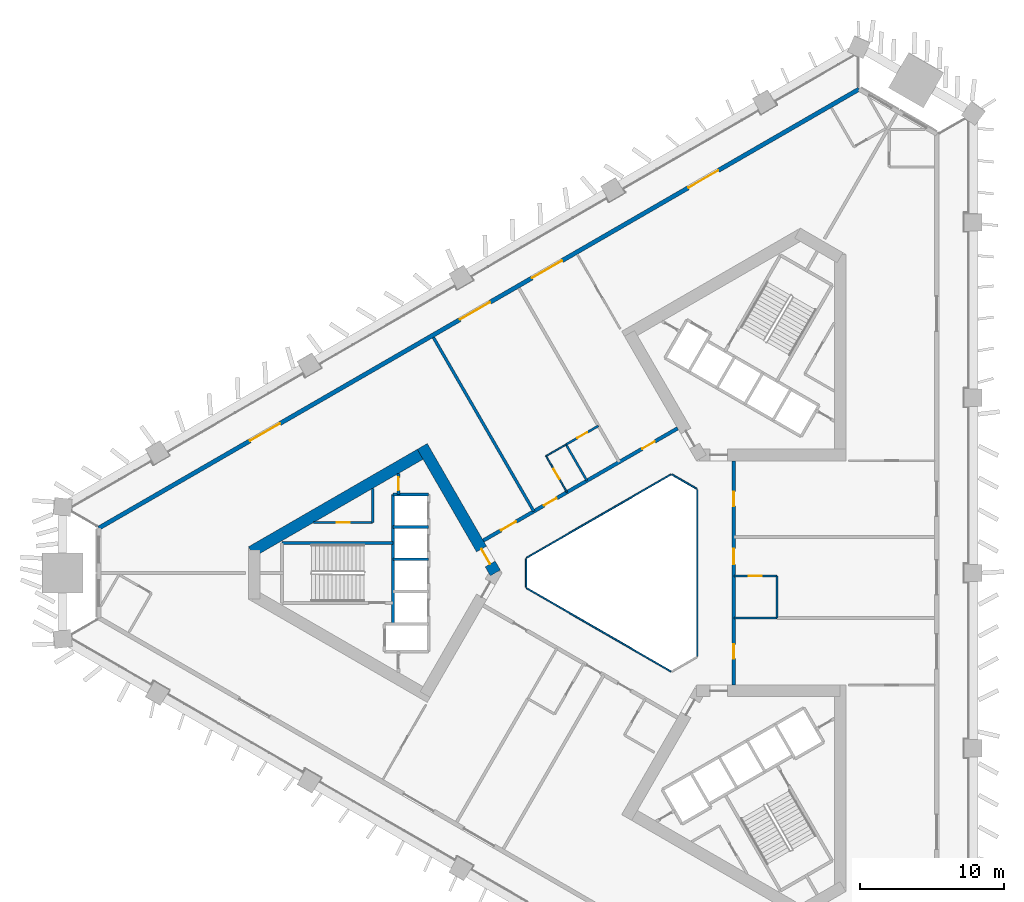
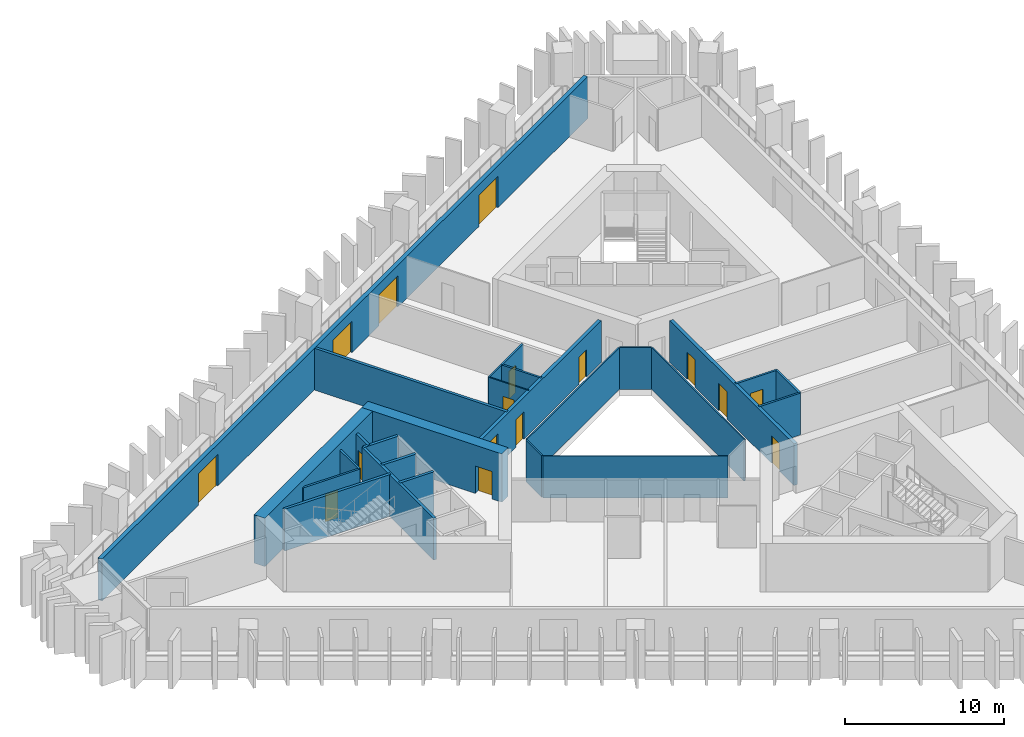
# One storey, part 4 of 10: 26 walls, 16 doors, 16 openings.
"""IFC4 building model written with IfcOpenShell, lengths in metres."""

import ifcopenshell
import ifcopenshell.guid

model = None  # the IFC model being written
_history = None  # IfcOwnerHistory: only IFC2X3 demands one
_inside = {}  # id of a spatial element -> (the spatial element, [elements in it])
_under = {}  # id of a project, library or spatial element -> (it, [spatial elements below it])
_declared = {}  # id of a project -> (the project, [libraries it declares])
_typed = {}  # id of a type object -> (the type object, [elements of that type])
_made_of = {}  # id of a material, layer set ... -> (it, [elements and type objects made of it])


def new_model(schema):
    """Start an empty IFC model of exactly this schema.

    Asked for "IFC4X3", IfcOpenShell would pick the latest addendum, in which some entities
    have other attributes; the version numbers below select the first issue.
    IFC2X3 requires an IfcOwnerHistory on every rooted entity: one is made here for all.
    """
    global model, _history
    if schema == "IFC4X3":
        model = ifcopenshell.file(schema_version=(4, 3, 0, 0))
    else:
        model = ifcopenshell.file(schema=schema)
    _inside.clear()
    _under.clear()
    _declared.clear()
    _typed.clear()
    _made_of.clear()
    _history = None
    if model.schema == "IFC2X3":
        org = make("IfcOrganization", Name="unknown")
        user = make(
            "IfcPersonAndOrganization",
            ThePerson=make("IfcPerson", FamilyName="unknown"),
            TheOrganization=org,
        )
        app = make(
            "IfcApplication",
            ApplicationDeveloper=org,
            Version="unknown",
            ApplicationFullName="unknown",
            ApplicationIdentifier="unknown",
        )
        _history = make(
            "IfcOwnerHistory",
            OwningUser=user,
            OwningApplication=app,
            ChangeAction="ADDED",
            CreationDate=0,
        )
    return model


def make(cls, **values):
    """One entity of the class cls with the attributes given. An attribute that is None is left unset."""
    return model.create_entity(
        cls, **{name: value for name, value in values.items() if value is not None}
    )


def rooted(cls, **values):
    """An entity with a GlobalId (a new one), such as an element, a storey or a relation."""
    return make(cls, GlobalId=ifcopenshell.guid.new(), OwnerHistory=_history, **values)


def si_unit(unit_type, name, prefix=None):
    """IfcSIUnit, for example si_unit("LENGTHUNIT", "METRE", prefix="MILLI")."""
    return make("IfcSIUnit", UnitType=unit_type, Prefix=prefix, Name=name)


def assignment(units):
    """IfcUnitAssignment: the units of a project."""
    return None if units is None else make("IfcUnitAssignment", Units=units)


def point(xyz):
    """IfcCartesianPoint."""
    return None if xyz is None else make("IfcCartesianPoint", Coordinates=xyz)


def direction(xyz):
    """IfcDirection."""
    return None if xyz is None else make("IfcDirection", DirectionRatios=xyz)


def frame(location, z_axis=None, x_axis=None):
    """IfcAxis2Placement3D, a coordinate frame: its origin and axes. An axis left out is left unset."""
    return make(
        "IfcAxis2Placement3D",
        Location=point(location),
        Axis=direction(z_axis),
        RefDirection=direction(x_axis),
    )


def frame_2d(location, x_axis=None):
    """IfcAxis2Placement2D, a coordinate frame in the plane: its origin and x axis."""
    return make(
        "IfcAxis2Placement2D", Location=point(location), RefDirection=direction(x_axis)
    )


def origin():
    """The frame at (0, 0, 0) with its axes left unset."""
    return frame((0.0, 0.0, 0.0))


def place(relative_to, where):
    """IfcLocalPlacement: puts the frame where relative to a parent placement (None: the world)."""
    return make(
        "IfcLocalPlacement", PlacementRelTo=relative_to, RelativePlacement=where
    )


def context(
    kind, dimensions, precision=None, world=None, true_north=None, identifier=None
):
    """IfcGeometricRepresentationContext, for example the 3D "Model" context."""
    return make(
        "IfcGeometricRepresentationContext",
        ContextIdentifier=identifier,
        ContextType=kind,
        CoordinateSpaceDimension=dimensions,
        Precision=precision,
        WorldCoordinateSystem=world,
        TrueNorth=true_north,
    )


def subcontext(parent, identifier, kind, view, scale=None):
    """IfcGeometricRepresentationSubContext, for example "Body" below "Model"."""
    return make(
        "IfcGeometricRepresentationSubContext",
        ContextIdentifier=identifier,
        ContextType=kind,
        ParentContext=parent,
        TargetScale=scale,
        TargetView=view,
    )


def project(units=None, contexts=None):
    """IfcProject with its units and contexts."""
    return rooted(
        "IfcProject",
        Name="project",
        RepresentationContexts=contexts,
        UnitsInContext=assignment(units),
    )


def spatial(cls, under=None, at=None, **own):
    """A site, building, storey or space (cls), placed at a placement, below another one or the project."""
    s = rooted(cls, ObjectPlacement=at, **own)
    if under is not None:
        _under.setdefault(under.id(), (under, []))[1].append(s)
    return s


def profile(cls, at=None, kind="AREA", **sizes):
    """A parametric profile (cls). Its sizes go by their IFC names, for example OverallWidth=200.0."""
    return make(cls, ProfileType=kind, Position=at, **sizes)


def rectangle(**sizes):
    """IfcRectangleProfileDef."""
    return profile("IfcRectangleProfileDef", **sizes)


def extrude(swept, where, along, depth):
    """IfcExtrudedAreaSolid: the profile swept, set in the frame where, extruded along a direction by depth."""
    return make(
        "IfcExtrudedAreaSolid",
        SweptArea=swept,
        Position=where,
        ExtrudedDirection=direction(along),
        Depth=depth,
    )


def shape(context_of_items, identifier, shape_type, items):
    """IfcShapeRepresentation: the items that make up one representation, for example the "Body"."""
    return make(
        "IfcShapeRepresentation",
        ContextOfItems=context_of_items,
        RepresentationIdentifier=identifier,
        RepresentationType=shape_type,
        Items=items,
    )


def material(Name=None, Category=None):
    """IfcMaterial."""
    return make("IfcMaterial", Name=Name, Category=Category)


def layer(
    of_material, thickness, ventilated=None, Name=None, Category=None, Priority=None
):
    """IfcMaterialLayer: one layer of a wall or slab, of a material (None: an air gap)."""
    return make(
        "IfcMaterialLayer",
        Material=of_material,
        LayerThickness=thickness,
        IsVentilated=ventilated,
        Name=Name,
        Category=Category,
        Priority=Priority,
    )


def layer_set(layers, Name=None):
    """IfcMaterialLayerSet."""
    return make("IfcMaterialLayerSet", MaterialLayers=layers, LayerSetName=Name)


def made_of(thing, what):
    """Note that an element or type object is made of a material, layer set ...; save() writes the relation."""
    if what is not None:
        _made_of.setdefault(what.id(), (what, []))[1].append(thing)
    return thing


def type_object(cls, material=None, **own):
    """A type object (cls), such as IfcWallType, which elements share."""
    return made_of(rooted(cls, **own), material)


def element(
    cls,
    number,
    at=None,
    inside=None,
    cuts=None,
    type_object=None,
    material=None,
    context=None,
    identifier="Body",
    shape_type=None,
    held_by="IfcProductDefinitionShape",
    body=None,
    shapes=None,
    **own,
):
    """One element of the class cls, such as IfcWall. Its Tag is "e" and its number.

    at: its placement. inside: the storey or other place that contains it. cuts: it is an
    opening in that element (IfcRelVoidsElement). A single representation is given by context,
    identifier, shape_type and body (its items); several are given by shapes. held_by: the class
    of the entity that holds the representations. save() writes the other relations.
    """
    e = rooted(cls, Tag="e%d" % number, ObjectPlacement=at, **own)
    if body is not None:
        shapes = [shape(context, identifier, shape_type, body)]
    if shapes is not None:
        e.Representation = make(held_by, Representations=shapes)
    if inside is not None:
        _inside.setdefault(inside.id(), (inside, []))[1].append(e)
    if cuts is not None:
        rooted(
            "IfcRelVoidsElement", RelatingBuildingElement=cuts, RelatedOpeningElement=e
        )
    if type_object is not None:
        _typed.setdefault(type_object.id(), (type_object, []))[1].append(e)
    return made_of(e, material)


def fill(opening, filler):
    """IfcRelFillsElement: the door or window that sits in an opening."""
    return rooted(
        "IfcRelFillsElement",
        RelatingOpeningElement=opening,
        RelatedBuildingElement=filler,
    )


def aggregate(whole, parts):
    """IfcRelAggregates: a whole, such as a stair, and the parts it consists of."""
    return rooted("IfcRelAggregates", RelatingObject=whole, RelatedObjects=parts)


def save(model, path):
    """Write the relations noted so far, then the file.

    IfcRelAggregates (storeys below a building ...), IfcRelContainedInSpatialStructure (elements
    in a storey), IfcRelDefinesByType, IfcRelAssociatesMaterial and IfcRelDeclares: one each for
    every whole, place, type object, material and project.
    """
    for whole, parts in _under.values():
        aggregate(whole, parts)
    for where, things in _inside.values():
        rooted(
            "IfcRelContainedInSpatialStructure",
            RelatedElements=things,
            RelatingStructure=where,
        )
    for kind, things in _typed.values():
        rooted("IfcRelDefinesByType", RelatedObjects=things, RelatingType=kind)
    for what, things in _made_of.values():
        rooted("IfcRelAssociatesMaterial", RelatedObjects=things, RelatingMaterial=what)
    for by, libraries in _declared.values():
        rooted("IfcRelDeclares", RelatingContext=by, RelatedDefinitions=libraries)
    model.write(path)


model = new_model("IFC4")

# Units and contexts
model_context = context("Model", 3, precision=1e-05, world=origin(), true_north=direction((0.0, 1.0)))
body_context = subcontext(model_context, "Body", "Model", "MODEL_VIEW")
ifc_project = project(units=[si_unit("LENGTHUNIT", "METRE"), si_unit("AREAUNIT", "SQUARE_METRE"), si_unit("VOLUMEUNIT", "CUBIC_METRE"), si_unit("PLANEANGLEUNIT", "RADIAN"), si_unit("MASSUNIT", "GRAM", prefix="KILO")], contexts=[model_context])

# Site, building, storey
site_placement = place(None, origin())
site = spatial("IfcSite", under=ifc_project, at=site_placement, CompositionType="ELEMENT")
building_placement = place(site_placement, origin())
building = spatial("IfcBuilding", under=site, at=building_placement, Name="Jabali Bay Hotel Tower and Convention Centre", CompositionType="ELEMENT")
storey_placement = place(building_placement, frame((0.0, 0.0, 44.800048828125)))
storey = spatial("IfcBuildingStorey", under=building, at=storey_placement, Name="L09", CompositionType="ELEMENT", Elevation=44.800048828125)

# Walls
ifc_material_1 = material(Name="Fire-resistant glazing", Category="glass")
ifc_layer_1 = layer(ifc_material_1, 0.10009765625)
ifc_layer_set_1 = layer_set([ifc_layer_1], Name="Fire-resistant glazing")
wall_type_1 = type_object("IfcWallType", Name="Atrium glazed screen 100", PredefinedType="PARTITIONING", material=ifc_layer_set_1)
wall_1_placement = place(storey_placement, frame((79.56005859375, 74.205810546875, 0.0), z_axis=(0.0, 0.0, 1.0), x_axis=(0.0, 1.0, 0.0)))
element("IfcWall", 1, at=wall_1_placement, inside=storey, type_object=wall_type_1, Name="Atrium screen 1 L09", PredefinedType="PARTITIONING", context=body_context, shape_type="SweptSolid", body=[
    extrude(rectangle(XDim=11.58837890625, YDim=0.10009765625, at=frame_2d((5.794189453125, 0.0))), origin(), (0.0, 0.0, 1.0), 3.199951171875),
])
wall_2_placement = place(storey_placement, frame((79.530029296875, 85.84619140625, 0.0), z_axis=(0.0, 0.0, 1.0), x_axis=(-0.866041268327, 0.499972520799, 0.0)))
element("IfcWall", 2, at=wall_2_placement, inside=storey, type_object=wall_type_1, Name="Atrium screen 2 L09", PredefinedType="PARTITIONING", context=body_context, shape_type="SweptSolid", body=[
    extrude(rectangle(XDim=2.0, YDim=0.10009765625, at=frame_2d((1.0, 0.0))), origin(), (0.0, 0.0, 1.0), 3.199951171875),
])
wall_3_placement = place(storey_placement, frame((77.738037109375, 86.84619140625, 0.0), z_axis=(0.0, 0.0, 1.0), x_axis=(-0.866026658274, -0.499997827154, 0.0)))
element("IfcWall", 3, at=wall_3_placement, inside=storey, type_object=wall_type_1, Name="Atrium screen 3 L09", PredefinedType="PARTITIONING", context=body_context, shape_type="SweptSolid", body=[
    extrude(rectangle(XDim=11.58837890625, YDim=0.10009765625, at=frame_2d((5.794189453125, 0.0))), origin(), (0.0, 0.0, 1.0), 3.199951171875),
])
wall_4_placement = place(storey_placement, frame((67.672119140625, 81.0, 0.0), z_axis=(0.0, 0.0, 1.0), x_axis=(0.0, -1.0, 0.0)))
element("IfcWall", 4, at=wall_4_placement, inside=storey, type_object=wall_type_1, Name="Atrium screen 4 L09", PredefinedType="PARTITIONING", context=body_context, shape_type="SweptSolid", body=[
    extrude(rectangle(XDim=2.0, YDim=0.10009765625, at=frame_2d((1.0, 0.0))), origin(), (0.0, 0.0, 1.0), 3.199951171875),
])
wall_5_placement = place(storey_placement, frame((67.7021484375, 78.947998046875, 0.0), z_axis=(0.0, 0.0, 1.0), x_axis=(0.866026658274, -0.499997827154, 0.0)))
element("IfcWall", 5, at=wall_5_placement, inside=storey, type_object=wall_type_1, Name="Atrium screen 5 L09", PredefinedType="PARTITIONING", context=body_context, shape_type="SweptSolid", body=[
    extrude(rectangle(XDim=11.58837890625, YDim=0.10009765625, at=frame_2d((5.794189453125, 0.0))), origin(), (0.0, 0.0, 1.0), 3.199951171875),
])

# Wall, opening, door
ifc_material_2 = material(Name="Concrete C40", Category="concrete")
ifc_layer_2 = layer(ifc_material_2, 0.199951171875)
ifc_layer_set_2 = layer_set([ifc_layer_2], Name="Concrete C40")
wall_type_2 = type_object("IfcWallType", Name="Core partition wall 200", PredefinedType="PARTITIONING", material=ifc_layer_set_2)
wall_6_placement = place(storey_placement, frame((58.820068359375, 86.916748046875, 0.0), z_axis=(0.0, 0.0, 1.0), x_axis=(0.0, -1.0, 0.0)))
wall_6 = element("IfcWall", 6, at=wall_6_placement, inside=storey, type_object=wall_type_2, Name="Core wall 0.11 L09", PredefinedType="PARTITIONING", context=body_context, shape_type="SweptSolid", body=[
    extrude(rectangle(XDim=1.466796875, YDim=0.199951171875, at=frame_2d((0.7333984375, 0.0))), origin(), (0.0, 0.0, 1.0), 3.199951171875),
])
opening_1_placement = place(wall_6_placement, frame((0.283447265625, 0.0, 0.0)))
opening_1 = element("IfcOpeningElement", 7, at=opening_1_placement, cuts=wall_6, Name="Opening D273", PredefinedType="OPENING", context=body_context, shape_type="SweptSolid", body=[
    extrude(rectangle(XDim=0.89990234375, YDim=2.10009765625, at=frame_2d((0.449951171875, 1.050048828125))), frame((0.0, 0.1103515625, 0.0), z_axis=(0.0, -1.0, 0.0), x_axis=(1.0, 0.0, 0.0)), (0.0, 0.0, 1.0), 0.220947265625),
])
ifc_material_3 = material(Name="Fire-rated steel door", Category="steel")
door_type_1 = type_object("IfcDoorType", Name="Vestibule fire door 900 x 2100", OperationType="NOTDEFINED", PredefinedType="NOTDEFINED", material=ifc_material_3)
door_1_placement = place(opening_1_placement, origin())
door_1 = element("IfcDoor", 8, at=door_1_placement, inside=storey, type_object=door_type_1, Name="Vestibule fire door D273", OperationType="SINGLE_SWING_LEFT", OverallHeight=2.10009765625, OverallWidth=0.89990234375, PredefinedType="NOTDEFINED", context=body_context, shape_type="SweptSolid", body=[
    extrude(rectangle(XDim=0.89990234375, YDim=2.10009765625, at=frame_2d((0.449951171875, 1.050048828125))), frame((0.0, 0.02490234375, 0.0), z_axis=(0.0, -1.0, 0.0), x_axis=(1.0, 0.0, 0.0)), (0.0, 0.0, 1.0), 0.050048828125),
])
fill(opening_1, door_1)

ifc_material_4 = material(Name="Fire-rated board partition")
ifc_layer_3 = layer(ifc_material_4, 0.14990234375)
ifc_layer_set_3 = layer_set([ifc_layer_3], Name="Fire-rated board partition")
wall_type_3 = type_object("IfcWallType", Name="Core room partition 150", PredefinedType="PARTITIONING", material=ifc_layer_set_3)
wall_7_placement = place(storey_placement, frame((57.02001953125, 83.5, 0.0), z_axis=(0.0, 0.0, 1.0), x_axis=(-1.0, 0.0, 0.0)))
wall_7 = element("IfcWall", 9, at=wall_7_placement, inside=storey, type_object=wall_type_3, Name="Core wall 0.1 L09", PredefinedType="PARTITIONING", context=body_context, shape_type="SweptSolid", body=[
    extrude(rectangle(XDim=4.117919921875, YDim=0.14990234375, at=frame_2d((2.05908203125, 0.0))), origin(), (0.0, 0.0, 1.0), 3.199951171875),
])
opening_2_placement = place(wall_7_placement, frame((1.58154296875, 0.0, 0.0)))
opening_2 = element("IfcOpeningElement", 10, at=opening_2_placement, cuts=wall_7, Name="Opening D275", PredefinedType="OPENING", context=body_context, shape_type="SweptSolid", body=[
    extrude(rectangle(XDim=0.89990234375, YDim=2.10009765625, at=frame_2d((0.449951171875, 1.050048828125))), frame((0.0, 0.08544921875, 0.0), z_axis=(0.0, -1.0, 0.0), x_axis=(1.0, 0.0, 0.0)), (0.0, 0.0, 1.0), 0.1708984375),
])
door_type_2 = type_object("IfcDoorType", Name="Core room door 900 x 2100", OperationType="NOTDEFINED", PredefinedType="NOTDEFINED", material=ifc_material_3)
door_2_placement = place(opening_2_placement, origin())
door_2 = element("IfcDoor", 11, at=door_2_placement, inside=storey, type_object=door_type_2, Name="Core room door D275", OperationType="SINGLE_SWING_LEFT", OverallHeight=2.10009765625, OverallWidth=0.89990234375, PredefinedType="NOTDEFINED", context=body_context, shape_type="SweptSolid", body=[
    extrude(rectangle(XDim=0.89990234375, YDim=2.10009765625, at=frame_2d((0.449951171875, 1.050048828125))), frame((0.0, 0.02490234375, 0.0), z_axis=(0.0, -1.0, 0.0), x_axis=(1.0, 0.0, 0.0)), (0.0, 0.0, 1.0), 0.050048828125),
])
fill(opening_2, door_2)

# Walls
wall_8_placement = place(storey_placement, frame((57.02001953125, 85.87744140625, 0.0), z_axis=(0.0, 0.0, 1.0), x_axis=(0.0, -1.0, 0.0)))
element("IfcWall", 12, at=wall_8_placement, inside=storey, type_object=wall_type_3, Name="Core wall 0.15 L09", PredefinedType="PARTITIONING", context=body_context, shape_type="SweptSolid", body=[
    extrude(rectangle(XDim=2.37744140625, YDim=0.14990234375, at=frame_2d((1.188720703125, 0.0))), origin(), (0.0, 0.0, 1.0), 3.199951171875),
])
ifc_layer_4 = layer(ifc_material_2, 0.199951171875)
ifc_layer_set_4 = layer_set([ifc_layer_4], Name="Concrete C40")
wall_type_4 = type_object("IfcWallType", Name="Core stair wall 200", PredefinedType="SOLIDWALL", material=ifc_layer_set_4)
for number, where, z_axis, x_axis, name in (
    (13, (60.89990234375, 85.449951171875, 0.0), (0.0, 0.0, 1.0), (-1.0, 0.0, 0.0), "Core wall 0.0 L09"),
    (14, (60.89990234375, 83.199951171875, 0.0), (0.0, 0.0, 1.0), (-1.0, 0.0, 0.0), "Core wall 0.2 L09"),
):
    element("IfcWall", number, at=place(storey_placement, frame(where, z_axis=z_axis, x_axis=x_axis)), inside=storey, type_object=wall_type_4, Name=name, PredefinedType="SOLIDWALL", context=body_context, shape_type="SweptSolid", body=[
        extrude(rectangle(XDim=2.47998046875, YDim=0.199951171875, at=frame_2d((1.239990234375, 0.0))), origin(), (0.0, 0.0, 1.0), 3.199951171875),
    ])
wall_9_placement = place(storey_placement, frame((58.419921875, 82.074951171875, 0.0), z_axis=(0.0, 0.0, 1.0), x_axis=(-1.0, 0.0, 0.0)))
element("IfcWall", 15, at=wall_9_placement, inside=storey, type_object=wall_type_4, Name="Core wall 0.3 L09", PredefinedType="SOLIDWALL", context=body_context, shape_type="SweptSolid", body=[
    extrude(rectangle(XDim=7.699951171875, YDim=0.199951171875, at=frame_2d((3.85009765625, 0.0))), origin(), (0.0, 0.0, 1.0), 3.199951171875),
])
wall_10_placement = place(storey_placement, frame((60.89990234375, 80.949951171875, 0.0), z_axis=(0.0, 0.0, 1.0), x_axis=(-1.0, 0.0, 0.0)))
element("IfcWall", 16, at=wall_10_placement, inside=storey, type_object=wall_type_4, Name="Core wall 0.4 L09", PredefinedType="SOLIDWALL", context=body_context, shape_type="SweptSolid", body=[
    extrude(rectangle(XDim=2.47998046875, YDim=0.199951171875, at=frame_2d((1.239990234375, 0.0))), origin(), (0.0, 0.0, 1.0), 3.199951171875),
])
wall_11_placement = place(storey_placement, frame((58.419921875, 85.449951171875, 0.0), z_axis=(0.0, 0.0, 1.0), x_axis=(0.0, -1.0, 0.0)))
element("IfcWall", 17, at=wall_11_placement, inside=storey, type_object=wall_type_4, Name="Core wall 0.13 L09", PredefinedType="SOLIDWALL", context=body_context, shape_type="SweptSolid", body=[
    extrude(rectangle(XDim=9.0, YDim=0.199951171875, at=frame_2d((4.5, 0.0))), origin(), (0.0, 0.0, 1.0), 3.199951171875),
])

# Wall, opening, door
ifc_material_5 = material(Name="Concrete C60", Category="concrete")
ifc_layer_5 = layer(ifc_material_5, 0.800048828125)
ifc_layer_set_5 = layer_set([ifc_layer_5], Name="Concrete C60")
wall_type_5 = type_object("IfcWallType", Name="Core wall 800", PredefinedType="SHEAR", material=ifc_layer_set_5)
wall_12_placement = place(storey_placement, frame((65.5380859375, 80.0, 0.0), z_axis=(0.0, 0.0, 1.0), x_axis=(-0.49999662545, 0.866027352073, 0.0)))
wall_12 = element("IfcWall", 18, at=wall_12_placement, inside=storey, type_object=wall_type_5, Name="Core wall 1.1 L09", PredefinedType="SHEAR", context=body_context, shape_type="SweptSolid", body=[
    extrude(rectangle(XDim=10.14892578125, YDim=0.800048828125, at=frame_2d((5.074462890625, 0.0))), origin(), (0.0, 0.0, 1.0), 3.699951171875),
])
opening_3_placement = place(wall_12_placement, frame((0.718994140625, 0.0, 0.0)))
opening_3 = element("IfcOpeningElement", 19, at=opening_3_placement, cuts=wall_12, Name="Opening D270", PredefinedType="OPENING", context=body_context, shape_type="SweptSolid", body=[
    extrude(rectangle(XDim=1.199951171875, YDim=2.10009765625, at=frame_2d((0.60009765625, 1.050048828125))), frame((0.0, 0.41064453125, 0.0), z_axis=(0.0, -1.0, 0.0), x_axis=(1.0, 0.0, 0.0)), (0.0, 0.0, 1.0), 0.821044921875),
])
door_type_3 = type_object("IfcDoorType", Name="Corridor end fire door 1200 x 2100", OperationType="NOTDEFINED", PredefinedType="NOTDEFINED", material=ifc_material_3)
door_3_placement = place(opening_3_placement, origin())
door_3 = element("IfcDoor", 20, at=door_3_placement, inside=storey, type_object=door_type_3, Name="Corridor end fire door D270", OperationType="SINGLE_SWING_RIGHT", OverallHeight=2.10009765625, OverallWidth=1.199951171875, PredefinedType="NOTDEFINED", context=body_context, shape_type="SweptSolid", body=[
    extrude(rectangle(XDim=1.199951171875, YDim=2.10009765625, at=frame_2d((0.60009765625, 1.050048828125))), frame((0.0, 0.02490234375, 0.0), z_axis=(0.0, -1.0, 0.0), x_axis=(1.0, 0.0, 0.0)), (0.0, 0.0, 1.0), 0.050048828125),
])
fill(opening_3, door_3)

# Wall
wall_13_placement = place(storey_placement, frame((60.66357421875, 88.44287109375, 0.0), z_axis=(0.0, 0.0, 1.0), x_axis=(-0.866029478545, -0.499992942241, 0.0)))
element("IfcWall", 21, at=wall_13_placement, inside=storey, type_object=wall_type_5, Name="Core wall 1.2 L09", PredefinedType="SHEAR", context=body_context, shape_type="SweptSolid", body=[
    extrude(rectangle(XDim=13.933349609375, YDim=0.800048828125, at=frame_2d((6.966796875, 0.0))), origin(), (0.0, 0.0, 1.0), 3.699951171875),
])

# Wall, openings, doors
ifc_layer_6 = layer(ifc_material_5, 0.25)
ifc_layer_set_6 = layer_set([ifc_layer_6], Name="Concrete C60")
wall_type_6 = type_object("IfcWallType", Name="Corridor wall 250", PredefinedType="SHEAR", material=ifc_layer_set_6)
wall_14_placement = place(storey_placement, frame((82.10009765625, 72.205810546875, 0.0), z_axis=(0.0, 0.0, 1.0), x_axis=(0.0, 1.0, 0.0)))
wall_14 = element("IfcWall", 22, at=wall_14_placement, inside=storey, type_object=wall_type_6, Name="Corridor wall 1 L09", PredefinedType="SHEAR", context=body_context, shape_type="SweptSolid", body=[
    extrude(rectangle(XDim=15.58837890625, YDim=0.25, at=frame_2d((7.794189453125, 0.0))), origin(), (0.0, 0.0, 1.0), 3.199951171875),
])
opening_4_placement = place(wall_14_placement, frame((1.83837890625, 0.0, 0.0)))
opening_4 = element("IfcOpeningElement", 23, at=opening_4_placement, cuts=wall_14, Name="Opening 0901", PredefinedType="OPENING", context=body_context, shape_type="SweptSolid", body=[
    extrude(rectangle(XDim=1.0, YDim=2.10009765625, at=frame_2d((0.5, 1.050048828125))), frame((0.0, 0.135498046875, 0.0), z_axis=(0.0, -1.0, 0.0), x_axis=(1.0, 0.0, 0.0)), (0.0, 0.0, 1.0), 0.27099609375),
])
opening_5_placement = place(wall_14_placement, frame((8.382568359375, 0.0, 0.0)))
opening_5 = element("IfcOpeningElement", 24, at=opening_5_placement, cuts=wall_14, Name="Opening 0905", PredefinedType="OPENING", context=body_context, shape_type="SweptSolid", body=[
    extrude(rectangle(XDim=1.10009765625, YDim=2.10009765625, at=frame_2d((0.550048828125, 1.050048828125))), frame((0.0, 0.135498046875, 0.0), z_axis=(0.0, -1.0, 0.0), x_axis=(1.0, 0.0, 0.0)), (0.0, 0.0, 1.0), 0.27099609375),
])
opening_6_placement = place(wall_14_placement, frame((12.4384765625, 0.0, 0.0)))
opening_6 = element("IfcOpeningElement", 25, at=opening_6_placement, cuts=wall_14, Name="Opening 0906", PredefinedType="OPENING", context=body_context, shape_type="SweptSolid", body=[
    extrude(rectangle(XDim=1.0, YDim=2.10009765625, at=frame_2d((0.5, 1.050048828125))), frame((0.0, 0.135498046875, 0.0), z_axis=(0.0, -1.0, 0.0), x_axis=(1.0, 0.0, 0.0)), (0.0, 0.0, 1.0), 0.27099609375),
])
ifc_material_6 = material(Name="Timber", Category="wood")
door_type_4 = type_object("IfcDoorType", Name="Accessible guest room door 1100 x 2100", OperationType="NOTDEFINED", PredefinedType="NOTDEFINED", material=ifc_material_6)
door_4_placement = place(opening_5_placement, origin())
door_4 = element("IfcDoor", 26, at=door_4_placement, inside=storey, type_object=door_type_4, Name="Door 0905", OperationType="SINGLE_SWING_RIGHT", OverallHeight=2.10009765625, OverallWidth=1.10009765625, PredefinedType="NOTDEFINED", context=body_context, shape_type="SweptSolid", body=[
    extrude(rectangle(XDim=1.10009765625, YDim=2.10009765625, at=frame_2d((0.550048828125, 1.050048828125))), frame((0.0, 0.02490234375, 0.0), z_axis=(0.0, -1.0, 0.0), x_axis=(1.0, 0.0, 0.0)), (0.0, 0.0, 1.0), 0.050048828125),
])
fill(opening_5, door_4)
door_type_5 = type_object("IfcDoorType", Name="Guest room door 1000 x 2100", OperationType="NOTDEFINED", PredefinedType="NOTDEFINED", material=ifc_material_6)
door_5_placement = place(opening_4_placement, origin())
door_5 = element("IfcDoor", 27, at=door_5_placement, inside=storey, type_object=door_type_5, Name="Door 0901", OperationType="SINGLE_SWING_LEFT", OverallHeight=2.10009765625, OverallWidth=1.0, PredefinedType="NOTDEFINED", context=body_context, shape_type="SweptSolid", body=[
    extrude(rectangle(XDim=1.0, YDim=2.10009765625, at=frame_2d((0.5, 1.050048828125))), frame((0.0, 0.02490234375, 0.0), z_axis=(0.0, -1.0, 0.0), x_axis=(1.0, 0.0, 0.0)), (0.0, 0.0, 1.0), 0.050048828125),
])
fill(opening_4, door_5)
door_6_placement = place(opening_6_placement, origin())
door_6 = element("IfcDoor", 28, at=door_6_placement, inside=storey, type_object=door_type_5, Name="Door 0906", OperationType="SINGLE_SWING_RIGHT", OverallHeight=2.10009765625, OverallWidth=1.0, PredefinedType="NOTDEFINED", context=body_context, shape_type="SweptSolid", body=[
    extrude(rectangle(XDim=1.0, YDim=2.10009765625, at=frame_2d((0.5, 1.050048828125))), frame((0.0, 0.02490234375, 0.0), z_axis=(0.0, -1.0, 0.0), x_axis=(1.0, 0.0, 0.0)), (0.0, 0.0, 1.0), 0.050048828125),
])
fill(opening_6, door_6)

wall_15_placement = place(storey_placement, frame((78.199951171875, 90.0458984375, 0.0), z_axis=(0.0, 0.0, 1.0), x_axis=(-0.866026492143, -0.499998114903, 0.0)))
wall_15 = element("IfcWall", 29, at=wall_15_placement, inside=storey, type_object=wall_type_6, Name="Corridor wall 2 L09", PredefinedType="SHEAR", context=body_context, shape_type="SweptSolid", body=[
    extrude(rectangle(XDim=15.58837890625, YDim=0.25, at=frame_2d((7.794189453125, 0.0))), origin(), (0.0, 0.0, 1.0), 3.199951171875),
])
opening_7_placement = place(wall_15_placement, frame((1.83837890625, 0.0, 0.0)))
opening_7 = element("IfcOpeningElement", 30, at=opening_7_placement, cuts=wall_15, Name="Opening 0909", PredefinedType="OPENING", context=body_context, shape_type="SweptSolid", body=[
    extrude(rectangle(XDim=1.0, YDim=2.10009765625, at=frame_2d((0.5, 1.050048828125))), frame((0.0, 0.135498046875, 0.0), z_axis=(0.0, -1.0, 0.0), x_axis=(1.0, 0.0, 0.0)), (0.0, 0.0, 1.0), 0.27099609375),
])
opening_8_placement = place(wall_15_placement, frame((9.7060546875, 0.0, 0.0)))
opening_8 = element("IfcOpeningElement", 31, at=opening_8_placement, cuts=wall_15, Name="Opening 0914", PredefinedType="OPENING", context=body_context, shape_type="SweptSolid", body=[
    extrude(rectangle(XDim=1.0, YDim=2.10009765625, at=frame_2d((0.5, 1.050048828125))), frame((0.0, 0.135498046875, 0.0), z_axis=(0.0, -1.0, 0.0), x_axis=(1.0, 0.0, 0.0)), (0.0, 0.0, 1.0), 0.27099609375),
])
opening_9_placement = place(wall_15_placement, frame((12.9619140625, 0.0, 0.0)))
opening_9 = element("IfcOpeningElement", 32, at=opening_9_placement, cuts=wall_15, Name="Opening 0915", PredefinedType="OPENING", context=body_context, shape_type="SweptSolid", body=[
    extrude(rectangle(XDim=1.199951171875, YDim=2.39990234375, at=frame_2d((0.60009765625, 1.199951171875))), frame((0.0, 0.135498046875, 0.0), z_axis=(0.0, -1.0, 0.0), x_axis=(1.0, 0.0, 0.0)), (0.0, 0.0, 1.0), 0.27099609375),
])
door_7_placement = place(opening_7_placement, origin())
door_7 = element("IfcDoor", 33, at=door_7_placement, inside=storey, type_object=door_type_5, Name="Door 0909", OperationType="SINGLE_SWING_LEFT", OverallHeight=2.10009765625, OverallWidth=1.0, PredefinedType="NOTDEFINED", context=body_context, shape_type="SweptSolid", body=[
    extrude(rectangle(XDim=1.0, YDim=2.10009765625, at=frame_2d((0.5, 1.050048828125))), frame((0.0, 0.02490234375, 0.0), z_axis=(0.0, -1.0, 0.0), x_axis=(1.0, 0.0, 0.0)), (0.0, 0.0, 1.0), 0.050048828125),
])
fill(opening_7, door_7)
door_8_placement = place(opening_8_placement, origin())
door_8 = element("IfcDoor", 34, at=door_8_placement, inside=storey, type_object=door_type_5, Name="Door 0914", OperationType="SINGLE_SWING_RIGHT", OverallHeight=2.10009765625, OverallWidth=1.0, PredefinedType="NOTDEFINED", context=body_context, shape_type="SweptSolid", body=[
    extrude(rectangle(XDim=1.0, YDim=2.10009765625, at=frame_2d((0.5, 1.050048828125))), frame((0.0, 0.02490234375, 0.0), z_axis=(0.0, -1.0, 0.0), x_axis=(1.0, 0.0, 0.0)), (0.0, 0.0, 1.0), 0.050048828125),
])
fill(opening_8, door_8)
door_type_6 = type_object("IfcDoorType", Name="Public room door 1200 x 2400", OperationType="NOTDEFINED", PredefinedType="NOTDEFINED", material=ifc_material_6)
door_9_placement = place(opening_9_placement, origin())
door_9 = element("IfcDoor", 35, at=door_9_placement, inside=storey, type_object=door_type_6, Name="Door 0915", OperationType="SINGLE_SWING_RIGHT", OverallHeight=2.39990234375, OverallWidth=1.199951171875, PredefinedType="NOTDEFINED", context=body_context, shape_type="SweptSolid", body=[
    extrude(rectangle(XDim=1.199951171875, YDim=2.39990234375, at=frame_2d((0.60009765625, 1.199951171875))), frame((0.0, 0.02490234375, 0.0), z_axis=(0.0, -1.0, 0.0), x_axis=(1.0, 0.0, 0.0)), (0.0, 0.0, 1.0), 0.050048828125),
])
fill(opening_9, door_9)

ifc_layer_7 = layer(ifc_material_2, 0.300048828125)
ifc_layer_set_7 = layer_set([ifc_layer_7], Name="Concrete C40")
wall_type_7 = type_object("IfcWallType", Name="External wall 300", PredefinedType="SOLIDWALL", material=ifc_layer_set_7)
wall_16_placement = place(storey_placement, frame((38.00048828125, 83.119384765625, 0.0), z_axis=(0.0, 0.0, 1.0), x_axis=(0.866025003598, 0.500000693143, 0.0)))
wall_16 = element("IfcWall", 36, at=wall_16_placement, inside=storey, type_object=wall_type_7, Name="External wall north-west face L09", PredefinedType="SOLIDWALL", context=body_context, shape_type="SweptSolid", body=[
    extrude(rectangle(XDim=60.9658203125, YDim=0.300048828125, at=frame_2d((30.48291015625, 0.0))), origin(), (0.0, 0.0, 1.0), 3.199951171875),
])
opening_10_placement = place(wall_16_placement, frame((12.12744140625, 0.0, 0.0)))
opening_10 = element("IfcOpeningElement", 37, at=opening_10_placement, cuts=wall_16, Name="Opening SD1", PredefinedType="OPENING", context=body_context, shape_type="SweptSolid", body=[
    extrude(rectangle(XDim=2.39990234375, YDim=2.39990234375, at=frame_2d((1.199951171875, 1.199951171875))), frame((0.0, 0.16064453125, 0.0), z_axis=(0.0, -1.0, 0.0), x_axis=(1.0, 0.0, 0.0)), (0.0, 0.0, 1.0), 0.321044921875),
])
opening_11_placement = place(wall_16_placement, frame((34.73876953125, 0.0, 0.0)))
opening_11 = element("IfcOpeningElement", 38, at=opening_11_placement, cuts=wall_16, Name="Opening SD1", PredefinedType="OPENING", context=body_context, shape_type="SweptSolid", body=[
    extrude(rectangle(XDim=2.39990234375, YDim=2.39990234375, at=frame_2d((1.199951171875, 1.199951171875))), frame((0.0, 0.16064453125, 0.0), z_axis=(0.0, -1.0, 0.0), x_axis=(1.0, 0.0, 0.0)), (0.0, 0.0, 1.0), 0.321044921875),
])
opening_12_placement = place(wall_16_placement, frame((47.275146484375, 0.0, 0.0)))
opening_12 = element("IfcOpeningElement", 39, at=opening_12_placement, cuts=wall_16, Name="Opening SD1", PredefinedType="OPENING", context=body_context, shape_type="SweptSolid", body=[
    extrude(rectangle(XDim=2.39990234375, YDim=2.39990234375, at=frame_2d((1.199951171875, 1.199951171875))), frame((0.0, 0.16064453125, 0.0), z_axis=(0.0, -1.0, 0.0), x_axis=(1.0, 0.0, 0.0)), (0.0, 0.0, 1.0), 0.321044921875),
])
opening_13_placement = place(wall_16_placement, frame((28.970947265625, 0.0, 0.0)))
opening_13 = element("IfcOpeningElement", 40, at=opening_13_placement, cuts=wall_16, Name="Opening SD1", PredefinedType="OPENING", context=body_context, shape_type="SweptSolid", body=[
    extrude(rectangle(XDim=2.39990234375, YDim=2.39990234375, at=frame_2d((1.199951171875, 1.199951171875))), frame((0.0, 0.16064453125, 0.0), z_axis=(0.0, -1.0, 0.0), x_axis=(1.0, 0.0, 0.0)), (0.0, 0.0, 1.0), 0.321044921875),
])
ifc_material_7 = material(Name="Glass", Category="glass")
door_type_7 = type_object("IfcDoorType", Name="Loggia sliding door 2400 x 2400", OperationType="NOTDEFINED", PredefinedType="NOTDEFINED", material=ifc_material_7)
door_10_placement = place(opening_10_placement, origin())
door_10 = element("IfcDoor", 41, at=door_10_placement, inside=storey, type_object=door_type_7, Name="Loggia sliding door 906", OperationType="SLIDING_TO_LEFT", OverallHeight=2.39990234375, OverallWidth=2.39990234375, PredefinedType="NOTDEFINED", context=body_context, shape_type="SweptSolid", body=[
    extrude(rectangle(XDim=2.39990234375, YDim=2.39990234375, at=frame_2d((1.199951171875, 1.199951171875))), frame((0.0, 0.02490234375, 0.0), z_axis=(0.0, -1.0, 0.0), x_axis=(1.0, 0.0, 0.0)), (0.0, 0.0, 1.0), 0.050048828125),
])
fill(opening_10, door_10)
door_11_placement = place(opening_11_placement, origin())
door_11 = element("IfcDoor", 42, at=door_11_placement, inside=storey, type_object=door_type_7, Name="Loggia sliding door 904", OperationType="SLIDING_TO_RIGHT", OverallHeight=2.39990234375, OverallWidth=2.39990234375, PredefinedType="NOTDEFINED", context=body_context, shape_type="SweptSolid", body=[
    extrude(rectangle(XDim=2.39990234375, YDim=2.39990234375, at=frame_2d((1.199951171875, 1.199951171875))), frame((0.0, 0.02490234375, 0.0), z_axis=(0.0, -1.0, 0.0), x_axis=(1.0, 0.0, 0.0)), (0.0, 0.0, 1.0), 0.050048828125),
])
fill(opening_11, door_11)
door_12_placement = place(opening_12_placement, origin())
door_12 = element("IfcDoor", 43, at=door_12_placement, inside=storey, type_object=door_type_7, Name="Loggia sliding door 904", OperationType="SLIDING_TO_LEFT", OverallHeight=2.39990234375, OverallWidth=2.39990234375, PredefinedType="NOTDEFINED", context=body_context, shape_type="SweptSolid", body=[
    extrude(rectangle(XDim=2.39990234375, YDim=2.39990234375, at=frame_2d((1.199951171875, 1.199951171875))), frame((0.0, 0.02490234375, 0.0), z_axis=(0.0, -1.0, 0.0), x_axis=(1.0, 0.0, 0.0)), (0.0, 0.0, 1.0), 0.050048828125),
])
fill(opening_12, door_12)
door_13_placement = place(opening_13_placement, origin())
door_13 = element("IfcDoor", 44, at=door_13_placement, inside=storey, type_object=door_type_7, Name="Loggia sliding door 905", OperationType="SLIDING_TO_RIGHT", OverallHeight=2.39990234375, OverallWidth=2.39990234375, PredefinedType="NOTDEFINED", context=body_context, shape_type="SweptSolid", body=[
    extrude(rectangle(XDim=2.39990234375, YDim=2.39990234375, at=frame_2d((1.199951171875, 1.199951171875))), frame((0.0, 0.02490234375, 0.0), z_axis=(0.0, -1.0, 0.0), x_axis=(1.0, 0.0, 0.0)), (0.0, 0.0, 1.0), 0.050048828125),
])
fill(opening_13, door_13)

# Wall, opening, door
ifc_material_8 = material(Name="Plasterboard on steel stud", Category="steel")
ifc_layer_8 = layer(ifc_material_8, 0.10009765625)
ifc_layer_set_8 = layer_set([ifc_layer_8], Name="Plasterboard on steel stud")
wall_type_8 = type_object("IfcWallType", Name="Partition 100 unit", PredefinedType="PARTITIONING", material=ifc_layer_set_8)
wall_17_placement = place(storey_placement, frame((70.5126953125, 85.607666015625, 0.0), z_axis=(0.0, 0.0, 1.0), x_axis=(-0.499987231761, 0.866032775405, 0.0)))
wall_17 = element("IfcWall", 45, at=wall_17_placement, inside=storey, type_object=wall_type_8, Name="Partition P02 L09 022", PredefinedType="PARTITIONING", context=body_context, shape_type="SweptSolid", body=[
    extrude(rectangle(XDim=2.89990234375, YDim=0.10009765625, at=frame_2d((1.449951171875, 0.0))), origin(), (0.0, 0.0, 1.0), 3.199951171875),
])
opening_14_placement = place(wall_17_placement, frame((1.050048828125, 0.0, 0.0)))
opening_14 = element("IfcOpeningElement", 46, at=opening_14_placement, cuts=wall_17, Name="Opening 0913", PredefinedType="OPENING", context=body_context, shape_type="SweptSolid", body=[
    extrude(rectangle(XDim=0.800048828125, YDim=2.10009765625, at=frame_2d((0.39990234375, 1.050048828125))), frame((0.0, 0.060546875, 0.0), z_axis=(0.0, -1.0, 0.0), x_axis=(1.0, 0.0, 0.0)), (0.0, 0.0, 1.0), 0.12109375),
])
door_type_8 = type_object("IfcDoorType", Name="Dressing room door 800 x 2100", OperationType="NOTDEFINED", PredefinedType="NOTDEFINED", material=ifc_material_6)
door_14_placement = place(opening_14_placement, origin())
door_14 = element("IfcDoor", 47, at=door_14_placement, inside=storey, type_object=door_type_8, Name="Door 0913", OperationType="SINGLE_SWING_RIGHT", OverallHeight=2.10009765625, OverallWidth=0.800048828125, PredefinedType="NOTDEFINED", context=body_context, shape_type="SweptSolid", body=[
    extrude(rectangle(XDim=0.800048828125, YDim=2.10009765625, at=frame_2d((0.39990234375, 1.050048828125))), frame((0.0, 0.02490234375, 0.0), z_axis=(0.0, -1.0, 0.0), x_axis=(1.0, 0.0, 0.0)), (0.0, 0.0, 1.0), 0.050048828125),
])
fill(opening_14, door_14)

# Walls
wall_18_placement = place(storey_placement, frame((69.062744140625, 88.119140625, 0.0), z_axis=(0.0, 0.0, 1.0), x_axis=(0.865989903783, 0.500061482766, 0.0)))
element("IfcWall", 48, at=wall_18_placement, inside=storey, type_object=wall_type_8, Name="Partition P02 L09 023", PredefinedType="PARTITIONING", context=body_context, shape_type="SweptSolid", body=[
    extrude(rectangle(XDim=1.599853515625, YDim=0.10009765625, at=frame_2d((0.7998046875, 0.0))), origin(), (0.0, 0.0, 1.0), 3.199951171875),
])
ifc_layer_9 = layer(ifc_material_8, 0.14990234375)
ifc_layer_set_9 = layer_set([ifc_layer_9], Name="Plasterboard on steel stud")
wall_type_9 = type_object("IfcWallType", Name="Partition 150 wet", PredefinedType="PARTITIONING", material=ifc_layer_set_9)
wall_19_placement = place(storey_placement, frame((85.10009765625, 76.88232421875, 0.0), z_axis=(0.0, 0.0, 1.0), x_axis=(-1.0, 0.0, 0.0)))
element("IfcWall", 49, at=wall_19_placement, inside=storey, type_object=wall_type_9, Name="Partition P03 L09 003", PredefinedType="PARTITIONING", context=body_context, shape_type="SweptSolid", body=[
    extrude(rectangle(XDim=3.0, YDim=0.14990234375, at=frame_2d((1.5, 0.0))), origin(), (0.0, 0.0, 1.0), 3.199951171875),
])

# Wall, opening, door
wall_20_placement = place(storey_placement, frame((82.10009765625, 79.7822265625, 0.0), z_axis=(0.0, 0.0, 1.0), x_axis=(1.0, 0.0, 0.0)))
wall_20 = element("IfcWall", 50, at=wall_20_placement, inside=storey, type_object=wall_type_9, Name="Partition P03 L09 008", PredefinedType="PARTITIONING", context=body_context, shape_type="SweptSolid", body=[
    extrude(rectangle(XDim=3.0, YDim=0.14990234375, at=frame_2d((1.5, 0.0))), origin(), (0.0, 0.0, 1.0), 3.199951171875),
])
opening_15_placement = place(wall_20_placement, frame((1.050048828125, 0.0, 0.0)))
opening_15 = element("IfcOpeningElement", 51, at=opening_15_placement, cuts=wall_20, Name="Opening 0904", PredefinedType="OPENING", context=body_context, shape_type="SweptSolid", body=[
    extrude(rectangle(XDim=0.89990234375, YDim=2.10009765625, at=frame_2d((0.449951171875, 1.050048828125))), frame((0.0, 0.08544921875, 0.0), z_axis=(0.0, -1.0, 0.0), x_axis=(1.0, 0.0, 0.0)), (0.0, 0.0, 1.0), 0.1708984375),
])
door_type_9 = type_object("IfcDoorType", Name="Accessible en-suite door 900 x 2100", OperationType="NOTDEFINED", PredefinedType="NOTDEFINED", material=ifc_material_6)
door_15_placement = place(opening_15_placement, origin())
door_15 = element("IfcDoor", 52, at=door_15_placement, inside=storey, type_object=door_type_9, Name="Door 0904", OperationType="SINGLE_SWING_LEFT", OverallHeight=2.10009765625, OverallWidth=0.89990234375, PredefinedType="NOTDEFINED", context=body_context, shape_type="SweptSolid", body=[
    extrude(rectangle(XDim=0.89990234375, YDim=2.10009765625, at=frame_2d((0.449951171875, 1.050048828125))), frame((0.0, 0.02490234375, 0.0), z_axis=(0.0, -1.0, 0.0), x_axis=(1.0, 0.0, 0.0)), (0.0, 0.0, 1.0), 0.050048828125),
])
fill(opening_15, door_15)

# Wall
wall_21_placement = place(storey_placement, frame((85.10009765625, 79.7822265625, 0.0), z_axis=(0.0, 0.0, 1.0), x_axis=(0.0, -1.0, 0.0)))
element("IfcWall", 53, at=wall_21_placement, inside=storey, type_object=wall_type_9, Name="Partition P03 L09 009", PredefinedType="PARTITIONING", context=body_context, shape_type="SweptSolid", body=[
    extrude(rectangle(XDim=2.89990234375, YDim=0.14990234375, at=frame_2d((1.449951171875, 0.0))), origin(), (0.0, 0.0, 1.0), 3.199951171875),
])

# Wall, opening, door
wall_22_placement = place(storey_placement, frame((70.4482421875, 88.919189453125, 0.0), z_axis=(0.0, 0.0, 1.0), x_axis=(0.866062058628, 0.499936506574, 0.0)))
wall_22 = element("IfcWall", 54, at=wall_22_placement, inside=storey, type_object=wall_type_9, Name="Partition P03 L09 021", PredefinedType="PARTITIONING", context=body_context, shape_type="SweptSolid", body=[
    extrude(rectangle(XDim=2.599853515625, YDim=0.14990234375, at=frame_2d((1.2998046875, 0.0))), origin(), (0.0, 0.0, 1.0), 3.199951171875),
])
opening_16_placement = place(wall_22_placement, frame((0.89990234375, 0.0, 0.0)))
opening_16 = element("IfcOpeningElement", 55, at=opening_16_placement, cuts=wall_22, Name="Opening 0912", PredefinedType="OPENING", context=body_context, shape_type="SweptSolid", body=[
    extrude(rectangle(XDim=0.800048828125, YDim=2.10009765625, at=frame_2d((0.39990234375, 1.050048828125))), frame((0.0, 0.08544921875, 0.0), z_axis=(0.0, -1.0, 0.0), x_axis=(1.0, 0.0, 0.0)), (0.0, 0.0, 1.0), 0.1708984375),
])
door_type_10 = type_object("IfcDoorType", Name="En-suite door 800 x 2100", OperationType="NOTDEFINED", PredefinedType="NOTDEFINED", material=ifc_material_6)
door_16_placement = place(opening_16_placement, origin())
door_16 = element("IfcDoor", 56, at=door_16_placement, inside=storey, type_object=door_type_10, Name="Door 0912", OperationType="SINGLE_SWING_LEFT", OverallHeight=2.10009765625, OverallWidth=0.800048828125, PredefinedType="NOTDEFINED", context=body_context, shape_type="SweptSolid", body=[
    extrude(rectangle(XDim=0.800048828125, YDim=2.10009765625, at=frame_2d((0.39990234375, 1.050048828125))), frame((0.0, 0.02490234375, 0.0), z_axis=(0.0, -1.0, 0.0), x_axis=(1.0, 0.0, 0.0)), (0.0, 0.0, 1.0), 0.050048828125),
])
fill(opening_16, door_16)

# Walls
wall_23_placement = place(storey_placement, frame((70.4482421875, 88.919189453125, 0.0), z_axis=(0.0, 0.0, 1.0), x_axis=(0.50005036918, -0.865996321171, 0.0)))
element("IfcWall", 57, at=wall_23_placement, inside=storey, type_object=wall_type_9, Name="Partition P03 L09 025", PredefinedType="PARTITIONING", context=body_context, shape_type="SweptSolid", body=[
    extrude(rectangle(XDim=2.900146484375, YDim=0.14990234375, at=frame_2d((1.4501953125, 0.0))), origin(), (0.0, 0.0, 1.0), 3.199951171875),
])
ifc_layer_10 = layer(ifc_material_8, 0.199951171875)
ifc_layer_set_10 = layer_set([ifc_layer_10], Name="Plasterboard on steel stud")
wall_type_10 = type_object("IfcWallType", Name="Partition 200 party", PredefinedType="PARTITIONING", material=ifc_layer_set_10)
wall_24_placement = place(storey_placement, frame((61.23388671875, 96.361083984375, 0.0), z_axis=(0.0, 0.0, 1.0), x_axis=(0.499997119037, -0.866027067103, 0.0)))
element("IfcWall", 58, at=wall_24_placement, inside=storey, type_object=wall_type_10, Name="Partition P01 L09 024", PredefinedType="PARTITIONING", context=body_context, shape_type="SweptSolid", body=[
    extrude(rectangle(XDim=13.9521484375, YDim=0.199951171875, at=frame_2d((6.97607421875, 0.0))), origin(), (0.0, 0.0, 1.0), 3.199951171875),
])

save(model, "model.ifc")
